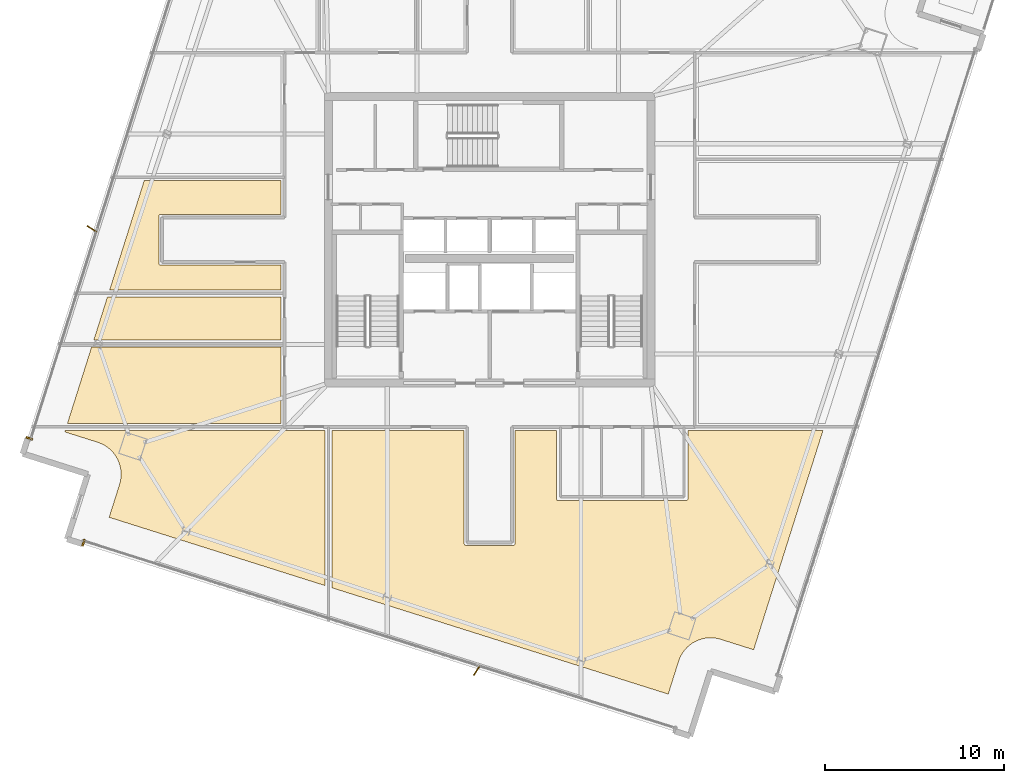
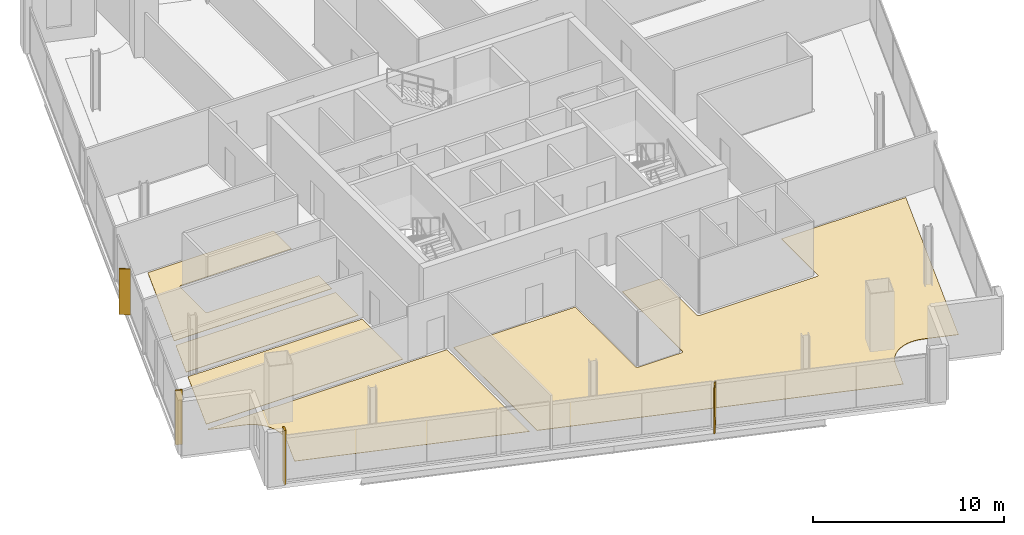
# One storey, part 22 of 26: 7 coverings, 2 shading devices.
"""IFC4 building model written with IfcOpenShell, lengths in metres."""

from ifc_helpers import new_model, si_unit, direction, frame, origin, origin_2d, place, context, subcontext, project, spatial, polyline, rectangle, outline, extrude, source, transform, mapped, material, layer, layer_set, type_object, element, save


model = new_model("IFC4")

# Units and contexts
model_context = context("Model", 3, precision=1e-05, world=origin(), true_north=direction((0.0, 1.0)))
body_context = subcontext(model_context, "Body", "Model", "MODEL_VIEW")
ifc_project = project(units=[si_unit("LENGTHUNIT", "METRE"), si_unit("AREAUNIT", "SQUARE_METRE"), si_unit("VOLUMEUNIT", "CUBIC_METRE"), si_unit("PLANEANGLEUNIT", "RADIAN"), si_unit("MASSUNIT", "GRAM", prefix="KILO")], contexts=[model_context])

# Site, building, storey
site_placement = place(None, origin())
site = spatial("IfcSite", under=ifc_project, at=site_placement, CompositionType="ELEMENT")
building_placement = place(site_placement, origin())
building = spatial("IfcBuilding", under=site, at=building_placement, Name="Haldenkirk Collegiate Tower", CompositionType="ELEMENT")
storey_placement = place(building_placement, frame((0.0, 0.0, 271.199951171875)))
storey = spatial("IfcBuildingStorey", under=building, at=storey_placement, Name="L68", CompositionType="ELEMENT", Elevation=271.199951171875)

# Coverings
ifc_material_1 = material(Name="Polished collegiate terrazzo", Category="concrete")
ifc_layer_1 = layer(ifc_material_1, 0.02490234375)
ifc_layer_set_1 = layer_set([ifc_layer_1], Name="Polished collegiate terrazzo")
covering_type_1 = type_object("IfcCoveringType", Name="COV-FLOOR-TERRAZZO", PredefinedType="FLOORING", material=ifc_layer_set_1)
covering_1_placement = place(storey_placement, origin())
element("IfcCovering", 1, at=covering_1_placement, inside=storey, type_object=covering_type_1, Name="L68 academic room finish 02", PredefinedType="FLOORING", context=body_context, shape_type="SweptSolid", body=[
    extrude(outline(polyline([(48.179443359375, 3.772705078125), (48.167724609375, 3.771484375), (47.99755859375, 3.748291015625), (47.98583984375, 3.74609375), (47.81884765625, 3.706298828125), (47.8076171875, 3.703125), (47.645263671875, 3.647216796875), (47.63427734375, 3.642822265625), (47.478271484375, 3.5712890625), (47.4677734375, 3.56591796875), (47.3193359375, 3.479248046875), (47.3095703125, 3.472900390625), (47.17041015625, 3.372314453125), (47.1611328125, 3.36474609375), (47.032470703125, 3.2509765625), (47.024169921875, 3.24267578125), (46.907470703125, 3.116943359375), (46.899658203125, 3.10791015625), (46.7958984375, 2.97119140625), (46.789306640625, 2.96142578125), (46.69921875, 2.815185546875), (46.693603515625, 2.804931640625), (46.6181640625, 2.650390625), (46.613525390625, 2.6396484375), (46.553955078125, 2.478515625), (46.552001953125, 2.47314453125), (45.969970703125, 0.6328125), (27.199951171875, 6.569091796875), (27.199951171875, 15.35009765625), (34.580078125, 15.35009765625), (34.580078125, 9.050048828125), (34.58056640625, 9.0380859375), (34.582275390625, 9.026611328125), (34.585205078125, 9.01513671875), (34.589111328125, 9.004150390625), (34.59423828125, 8.993408203125), (34.60009765625, 8.9833984375), (34.607177734375, 8.973876953125), (34.614990234375, 8.965087890625), (34.623779296875, 8.957275390625), (34.63330078125, 8.9501953125), (34.643310546875, 8.944091796875), (34.654052734375, 8.939208984375), (34.665283203125, 8.935302734375), (34.676513671875, 8.932373046875), (34.688232421875, 8.9306640625), (34.699951171875, 8.929931640625), (37.300048828125, 8.929931640625), (37.311767578125, 8.9306640625), (37.323486328125, 8.932373046875), (37.334716796875, 8.935302734375), (37.345947265625, 8.939208984375), (37.356689453125, 8.944091796875), (37.36669921875, 8.9501953125), (37.376220703125, 8.957275390625), (37.385009765625, 8.965087890625), (37.392822265625, 8.973876953125), (37.39990234375, 8.9833984375), (37.40576171875, 8.993408203125), (37.410888671875, 9.004150390625), (37.414794921875, 9.01513671875), (37.417724609375, 9.026611328125), (37.41943359375, 9.0380859375), (37.419921875, 9.050048828125), (37.419921875, 15.35009765625), (39.72998046875, 15.35009765625), (39.72998046875, 11.550048828125), (39.730712890625, 11.5380859375), (39.732421875, 11.526611328125), (39.735107421875, 11.51513671875), (39.739013671875, 11.504150390625), (39.744140625, 11.493408203125), (39.750244140625, 11.4833984375), (39.757080078125, 11.473876953125), (39.76513671875, 11.465087890625), (39.77392578125, 11.457275390625), (39.783203125, 11.4501953125), (39.79345703125, 11.444091796875), (39.80419921875, 11.439208984375), (39.815185546875, 11.435302734375), (39.82666015625, 11.432373046875), (39.838134765625, 11.4306640625), (39.85009765625, 11.429931640625), (46.949951171875, 11.429931640625), (46.9619140625, 11.4306640625), (46.973388671875, 11.432373046875), (46.98486328125, 11.435302734375), (46.995849609375, 11.439208984375), (47.006591796875, 11.444091796875), (47.0166015625, 11.4501953125), (47.026123046875, 11.457275390625), (47.034912109375, 11.465087890625), (47.042724609375, 11.473876953125), (47.0498046875, 11.4833984375), (47.055908203125, 11.493408203125), (47.060791015625, 11.504150390625), (47.064697265625, 11.51513671875), (47.067626953125, 11.526611328125), (47.0693359375, 11.5380859375), (47.070068359375, 11.550048828125), (47.070068359375, 15.35009765625), (54.60986328125, 15.35009765625), (50.739013671875, 3.110107421875), (48.898681640625, 3.692138671875), (48.89306640625, 3.69384765625), (48.72705078125, 3.737548828125), (48.715576171875, 3.739990234375), (48.5458984375, 3.76708984375), (48.5341796875, 3.768310546875), (48.36279296875, 3.77880859375), (48.35107421875, 3.779052734375), (48.179443359375, 3.772705078125)])), origin(), (0.0, 0.0, 1.0), 0.025146484375),
])
covering_2_placement = place(storey_placement, origin())
element("IfcCovering", 2, at=covering_2_placement, inside=storey, type_object=covering_type_1, Name="L68 academic room finish 08", PredefinedType="FLOORING", context=body_context, shape_type="SweptSolid", body=[
    extrude(outline(polyline([(14.661865234375, 22.800048828125), (24.35009765625, 22.800048828125), (24.35009765625, 20.39990234375), (13.90283203125, 20.39990234375), (14.661865234375, 22.800048828125)])), origin(), (0.0, 0.0, 1.0), 0.025146484375),
])
ifc_material_2 = material(Name="Engineered collegiate oak acoustic flooring", Category="wood")
ifc_layer_2 = layer(ifc_material_2, 0.02197265625)
ifc_layer_set_2 = layer_set([ifc_layer_2], Name="Engineered collegiate oak acoustic flooring")
covering_type_2 = type_object("IfcCoveringType", Name="COV-FLOOR-TIMBER", PredefinedType="FLOORING", material=ifc_layer_set_2)
covering_3_placement = place(storey_placement, origin())
element("IfcCovering", 3, at=covering_3_placement, inside=storey, type_object=covering_type_2, Name="L68 academic room finish 01", PredefinedType="FLOORING", context=body_context, shape_type="SweptSolid", body=[
    extrude(outline(polyline([(14.758544921875, 10.50390625), (15.340576171875, 12.343994140625), (15.34228515625, 12.349609375), (15.385986328125, 12.515625), (15.38818359375, 12.527099609375), (15.41552734375, 12.69677734375), (15.416748046875, 12.70849609375), (15.42724609375, 12.8798828125), (15.427490234375, 12.8916015625), (15.4208984375, 13.063232421875), (15.419921875, 13.074951171875), (15.396728515625, 13.2451171875), (15.39453125, 13.2568359375), (15.354736328125, 13.423828125), (15.3515625, 13.43505859375), (15.295654296875, 13.597412109375), (15.291259765625, 13.6083984375), (15.2197265625, 13.764404296875), (15.214111328125, 13.77490234375), (15.127685546875, 13.92333984375), (15.121337890625, 13.93310546875), (15.020751953125, 14.072265625), (15.01318359375, 14.08154296875), (14.8994140625, 14.210205078125), (14.89111328125, 14.218505859375), (14.765380859375, 14.335205078125), (14.75634765625, 14.343017578125), (14.619384765625, 14.447021484375), (14.60986328125, 14.45361328125), (14.463623046875, 14.54345703125), (14.453369140625, 14.54931640625), (14.298828125, 14.62451171875), (14.2880859375, 14.629150390625), (14.126953125, 14.688720703125), (14.12158203125, 14.690673828125), (12.28125, 15.272705078125), (12.3056640625, 15.35009765625), (26.800048828125, 15.35009765625), (26.800048828125, 6.695556640625), (14.758544921875, 10.50390625)])), origin(), (0.0, 0.0, 1.0), 0.02197265625),
])
covering_4_placement = place(storey_placement, origin())
element("IfcCovering", 4, at=covering_4_placement, inside=storey, type_object=covering_type_2, Name="L68 academic room finish 07", PredefinedType="FLOORING", context=body_context, shape_type="SweptSolid", body=[
    extrude(outline(polyline([(13.7763671875, 20.0), (24.35009765625, 20.0), (24.35009765625, 15.75), (12.43212890625, 15.75), (13.7763671875, 20.0)])), origin(), (0.0, 0.0, 1.0), 0.02197265625),
])
covering_5_placement = place(storey_placement, origin())
element("IfcCovering", 5, at=covering_5_placement, inside=storey, type_object=covering_type_2, Name="L68 academic room finish 09", PredefinedType="FLOORING", context=body_context, shape_type="SweptSolid", body=[
    extrude(outline(polyline([(17.64990234375, 27.419921875), (17.63818359375, 27.41943359375), (17.626708984375, 27.417724609375), (17.615234375, 27.414794921875), (17.60400390625, 27.410888671875), (17.593505859375, 27.40576171875), (17.583251953125, 27.39990234375), (17.573974609375, 27.392822265625), (17.565185546875, 27.385009765625), (17.55712890625, 27.376220703125), (17.55029296875, 27.36669921875), (17.544189453125, 27.356689453125), (17.5390625, 27.345947265625), (17.53515625, 27.334716796875), (17.5322265625, 27.323486328125), (17.530517578125, 27.311767578125), (17.530029296875, 27.300048828125), (17.530029296875, 24.699951171875), (17.530517578125, 24.688232421875), (17.5322265625, 24.676513671875), (17.53515625, 24.665283203125), (17.5390625, 24.654052734375), (17.544189453125, 24.643310546875), (17.55029296875, 24.63330078125), (17.55712890625, 24.623779296875), (17.565185546875, 24.614990234375), (17.573974609375, 24.607177734375), (17.583251953125, 24.60009765625), (17.593505859375, 24.59423828125), (17.60400390625, 24.589111328125), (17.615234375, 24.585205078125), (17.626708984375, 24.582275390625), (17.63818359375, 24.58056640625), (17.64990234375, 24.580078125), (24.35009765625, 24.580078125), (24.35009765625, 23.199951171875), (14.788330078125, 23.199951171875), (16.717529296875, 29.300048828125), (24.35009765625, 29.300048828125), (24.35009765625, 27.419921875), (17.64990234375, 27.419921875)])), origin(), (0.0, 0.0, 1.0), 0.02197265625),
])
ifc_material_3 = material(Name="Anodised architectural bronze aluminium", Category="aluminium")
ifc_layer_3 = layer(ifc_material_3, 0.06005859375)
ifc_layer_set_3 = layer_set([ifc_layer_3], Name="Anodised architectural bronze aluminium")
covering_type_3 = type_object("IfcCoveringType", Name="COV-CLAD-BRONZE-60", PredefinedType="CLADDING", material=ifc_layer_set_3)
shared_shape_1 = source(origin(), body_context, "Body", "SweptSolid", [
    extrude(rectangle(XDim=0.10009765625, YDim=0.3798828125, at=origin_2d()), origin(), (0.0, 0.0, 1.0), 3.47998046875),
])
for number, where, z_axis, x_axis, name in (
    (6, (10.30078125, 14.913330078125, 0.0), (0.0, 0.0, 1.0), (0.301537959944, 0.953454172319, 0.0), "L68 recessed curtain-wall bronze jamb closure NJL"),
    (7, (13.32568359375, 9.090087890625, 0.0), (0.0, 0.0, 1.0), (-0.953454172319, 0.301537959944, 0.0), "L68 recessed curtain-wall bronze jamb closure WJR"),
):
    element("IfcCovering", number, at=place(storey_placement, frame(where, z_axis=z_axis, x_axis=x_axis)), inside=storey, type_object=covering_type_3, Name=name, PredefinedType="CLADDING", context=body_context, shape_type="MappedRepresentation", body=[
        mapped(shared_shape_1, transform((0.0, 0.0, 0.0), x_axis=(1.0, 0.0, 0.0), y_axis=(0.0, 1.0, 0.0), z_axis=(0.0, 0.0, 1.0), scale=1.0)),
    ])

# Shading devices
ifc_layer_4 = layer(ifc_material_3, 0.06494140625)
ifc_layer_set_4 = layer_set([ifc_layer_4], Name="Anodised architectural bronze aluminium")
shading_device_type = type_object("IfcShadingDeviceType", Name="SHD-FIN-BRONZE-620", PredefinedType="USERDEFINED", material=ifc_layer_set_4)
shared_shape_2 = source(origin(), body_context, "Body", "SweptSolid", [
    extrude(rectangle(XDim=0.6201171875, YDim=0.06494140625, at=origin_2d()), origin(), (0.0, 0.0, 1.0), 2.93798828125),
])
for number, where, z_axis, x_axis, name in (
    (8, (13.784912109375, 26.6103515625, 0.0), (0.0, 0.0, 1.0), (-0.833403848725, 0.552664477717, 0.0), "L68 folded bronze solar fin 1"),
    (9, (35.27587890625, 1.93310546875, 0.0), (0.0, 0.0, 1.0), (-0.552664477717, -0.833403848725, 0.0), "L68 folded bronze solar fin 1"),
):
    element("IfcShadingDevice", number, at=place(storey_placement, frame(where, z_axis=z_axis, x_axis=x_axis)), inside=storey, type_object=shading_device_type, Name=name, ObjectType="FIN", PredefinedType="USERDEFINED", context=body_context, shape_type="MappedRepresentation", body=[
        mapped(shared_shape_2, transform((0.0, 0.0, 0.0), x_axis=(1.0, 0.0, 0.0), y_axis=(0.0, 1.0, 0.0), z_axis=(0.0, 0.0, 1.0), scale=1.0)),
    ])

save(model, "model.ifc")
